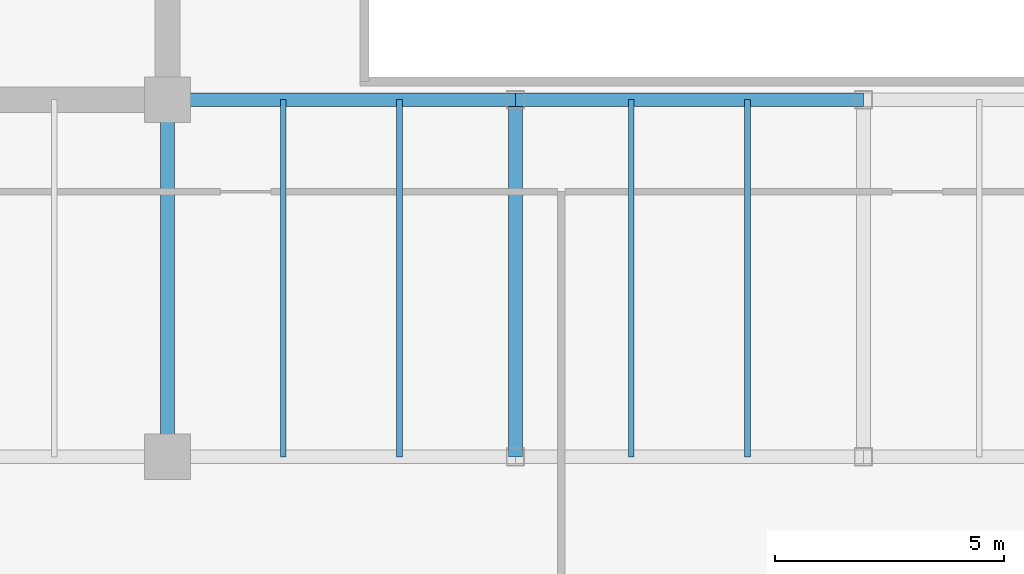
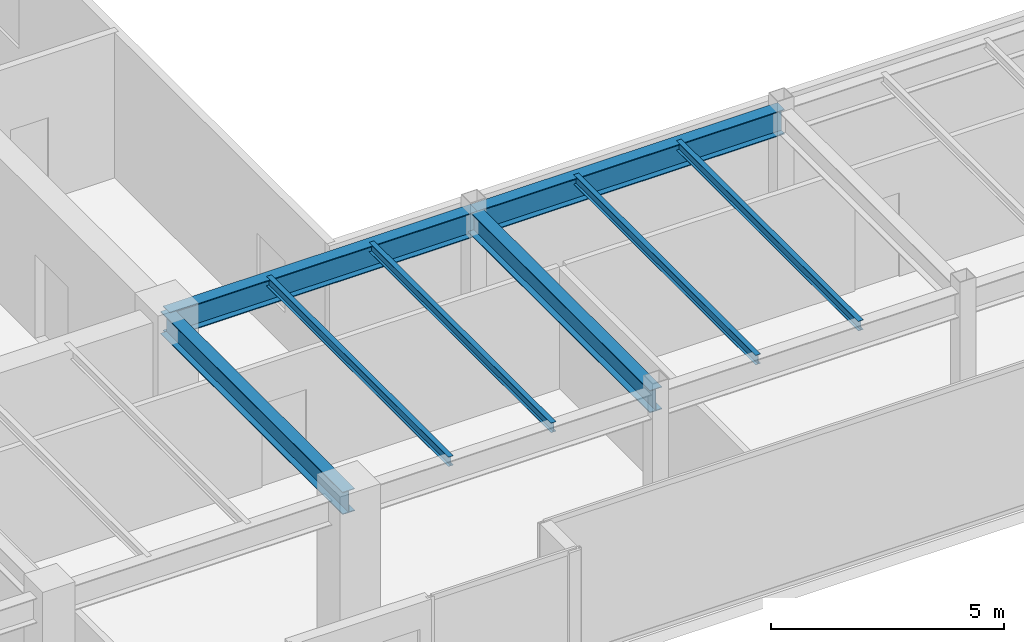
# One storey, part 7 of 34: 8 beams.
"""IFC4 building model written with IfcOpenShell, lengths in metres."""

from ifc_helpers import new_model, si_unit, direction, frame, origin, origin_2d, place, context, subcontext, project, spatial, i_section, extrude, source, transform, mapped, material, material_profile, profile_set, type_object, type_shapes, element, save


model = new_model("IFC4")

# Units and contexts
model_context = context("Model", 3, precision=1e-05, world=origin(), true_north=direction((0.0, 1.0)))
body_context = subcontext(model_context, "Body", "Model", "MODEL_VIEW")
ifc_project = project(units=[si_unit("LENGTHUNIT", "METRE"), si_unit("AREAUNIT", "SQUARE_METRE"), si_unit("VOLUMEUNIT", "CUBIC_METRE"), si_unit("PLANEANGLEUNIT", "RADIAN"), si_unit("MASSUNIT", "GRAM", prefix="KILO")], contexts=[model_context])

# Site, building, storey
site_placement = place(None, origin())
site = spatial("IfcSite", under=ifc_project, at=site_placement, CompositionType="ELEMENT")
building_placement = place(site_placement, origin())
building = spatial("IfcBuilding", under=site, at=building_placement, Name="Haelvirn Gate Laboratories", CompositionType="ELEMENT")
storey_placement = place(building_placement, frame((0.0, 0.0, 246.5)))
storey = spatial("IfcBuildingStorey", under=building, at=storey_placement, Name="L59", CompositionType="ELEMENT", Elevation=246.5)

# Beams
ifc_material = material(Name="Steel SM355", Category="steel")
ifc_material_profile_1 = material_profile(ifc_material, i_section(OverallWidth=0.300048828125, OverallDepth=0.587890625, WebThickness=0.011962890625, FlangeThickness=0.02001953125, at=origin_2d()), Name="H-588x300x12x20")
ifc_profile_set_1 = profile_set([ifc_material_profile_1], Name="Steel SM355")
beam_type_1 = type_object("IfcBeamType", Name="BM-G-588", PredefinedType="BEAM", material=ifc_profile_set_1)
shared_shape_1 = source(origin(), body_context, "Body", "SweptSolid", [
    extrude(i_section(OverallWidth=0.300048828125, OverallDepth=0.587890625, WebThickness=0.011962890625, FlangeThickness=0.02001953125, at=origin_2d()), origin(), (0.0, 0.0, 1.0), 7.800048828125),
])
type_shapes(beam_type_1, [shared_shape_1])
for number, where, z_axis, x_axis, name in (
    (1, (22.199951171875, 7.0, 3.506103515625), (0.0, 1.0, 0.0), (-1.0, 0.0, 0.0), "L59 Frame Girder X22.2 (7.0-14.8)"),
    (2, (29.800048828125, 7.0, 3.506103515625), (0.0, 1.0, 0.0), (-1.0, 0.0, 0.0), "L59 Frame Girder X29.8 (7.0-14.8)"),
):
    element("IfcBeam", number, at=place(storey_placement, frame(where, z_axis=z_axis, x_axis=x_axis)), inside=storey, type_object=beam_type_1, Name=name, PredefinedType="BEAM", context=body_context, shape_type="MappedRepresentation", body=[
        mapped(shared_shape_1, transform((0.0, 0.0, 0.0), scale=1.0)),
    ])
ifc_material_profile_2 = material_profile(ifc_material, i_section(OverallWidth=0.300048828125, OverallDepth=0.64990234375, WebThickness=0.012939453125, FlangeThickness=0.02197265625, at=origin_2d()), Name="H-650x300x13x22")
ifc_profile_set_2 = profile_set([ifc_material_profile_2], Name="Steel SM355")
beam_type_2 = type_object("IfcBeamType", Name="BM-G-650", PredefinedType="BEAM", material=ifc_profile_set_2)
shared_shape_2 = source(origin(), body_context, "Body", "SweptSolid", [
    extrude(i_section(OverallWidth=0.300048828125, OverallDepth=0.64990234375, WebThickness=0.012939453125, FlangeThickness=0.02197265625, at=origin_2d()), origin(), (0.0, 0.0, 1.0), 7.60009765625),
])
beam_1_placement = place(storey_placement, frame((22.199951171875, 14.800048828125, 3.47509765625), z_axis=(1.0, 0.0, 0.0), x_axis=(0.0, 1.0, 0.0)))
element("IfcBeam", 3, at=beam_1_placement, inside=storey, type_object=beam_type_2, Name="L59 Primary Girder Y14.8 (22.2-29.8)", PredefinedType="BEAM", context=body_context, shape_type="MappedRepresentation", body=[
    mapped(shared_shape_2, transform((0.0, 0.0, 0.0), scale=1.0)),
])
shared_shape_3 = source(origin(), body_context, "Body", "SweptSolid", [
    extrude(i_section(OverallWidth=0.300048828125, OverallDepth=0.64990234375, WebThickness=0.012939453125, FlangeThickness=0.02197265625, at=origin_2d()), origin(), (0.0, 0.0, 1.0), 7.599853515625),
])
type_shapes(beam_type_2, [shared_shape_2, shared_shape_3])
beam_2_placement = place(storey_placement, frame((29.800048828125, 14.800048828125, 3.47509765625), z_axis=(1.0, 0.0, 0.0), x_axis=(0.0, 1.0, 0.0)))
element("IfcBeam", 4, at=beam_2_placement, inside=storey, type_object=beam_type_2, Name="L59 Primary Girder Y14.8 (29.8-37.4)", PredefinedType="BEAM", context=body_context, shape_type="MappedRepresentation", body=[
    mapped(shared_shape_3, transform((0.0, 0.0, 0.0), scale=1.0)),
])
ifc_material_profile_3 = material_profile(ifc_material, i_section(OverallWidth=0.125, OverallDepth=0.25, WebThickness=0.006103515625, FlangeThickness=0.009033203125, at=origin_2d()), Name="H-250x125x6x9")
ifc_profile_set_3 = profile_set([ifc_material_profile_3], Name="Steel SM355")
beam_type_3 = type_object("IfcBeamType", Name="BM-J-250", PredefinedType="JOIST", material=ifc_profile_set_3)
shared_shape_4 = source(origin(), body_context, "Body", "SweptSolid", [
    extrude(i_section(OverallWidth=0.125, OverallDepth=0.25, WebThickness=0.006103515625, FlangeThickness=0.009033203125, at=origin_2d()), origin(), (0.0, 0.0, 1.0), 7.800048828125),
])
type_shapes(beam_type_3, [shared_shape_4])
for number, where, z_axis, x_axis, name in (
    (5, (24.72998046875, 7.0, 3.675048828125), (0.0, 1.0, 0.0), (-1.0, 0.0, 0.0), "L59 Composite Lab Joist South X24.73"),
    (6, (27.27001953125, 7.0, 3.675048828125), (0.0, 1.0, 0.0), (-1.0, 0.0, 0.0), "L59 Composite Lab Joist South X27.27"),
    (7, (32.330078125, 7.0, 3.675048828125), (0.0, 1.0, 0.0), (-1.0, 0.0, 0.0), "L59 Composite Lab Joist South X32.33"),
    (8, (34.8701171875, 7.0, 3.675048828125), (0.0, 1.0, 0.0), (-1.0, 0.0, 0.0), "L59 Composite Lab Joist South X34.87"),
):
    element("IfcBeam", number, at=place(storey_placement, frame(where, z_axis=z_axis, x_axis=x_axis)), inside=storey, type_object=beam_type_3, Name=name, PredefinedType="JOIST", context=body_context, shape_type="MappedRepresentation", body=[
        mapped(shared_shape_4, transform((0.0, 0.0, 0.0), scale=1.0)),
    ])

save(model, "model.ifc")
